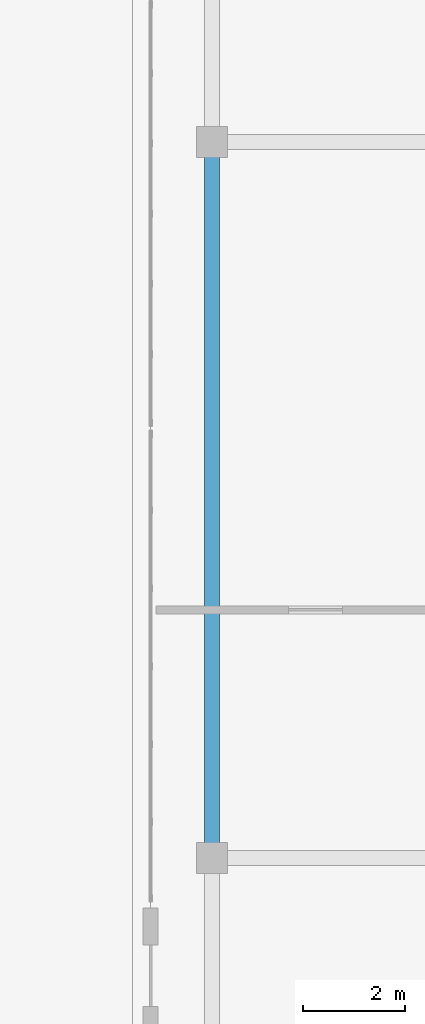
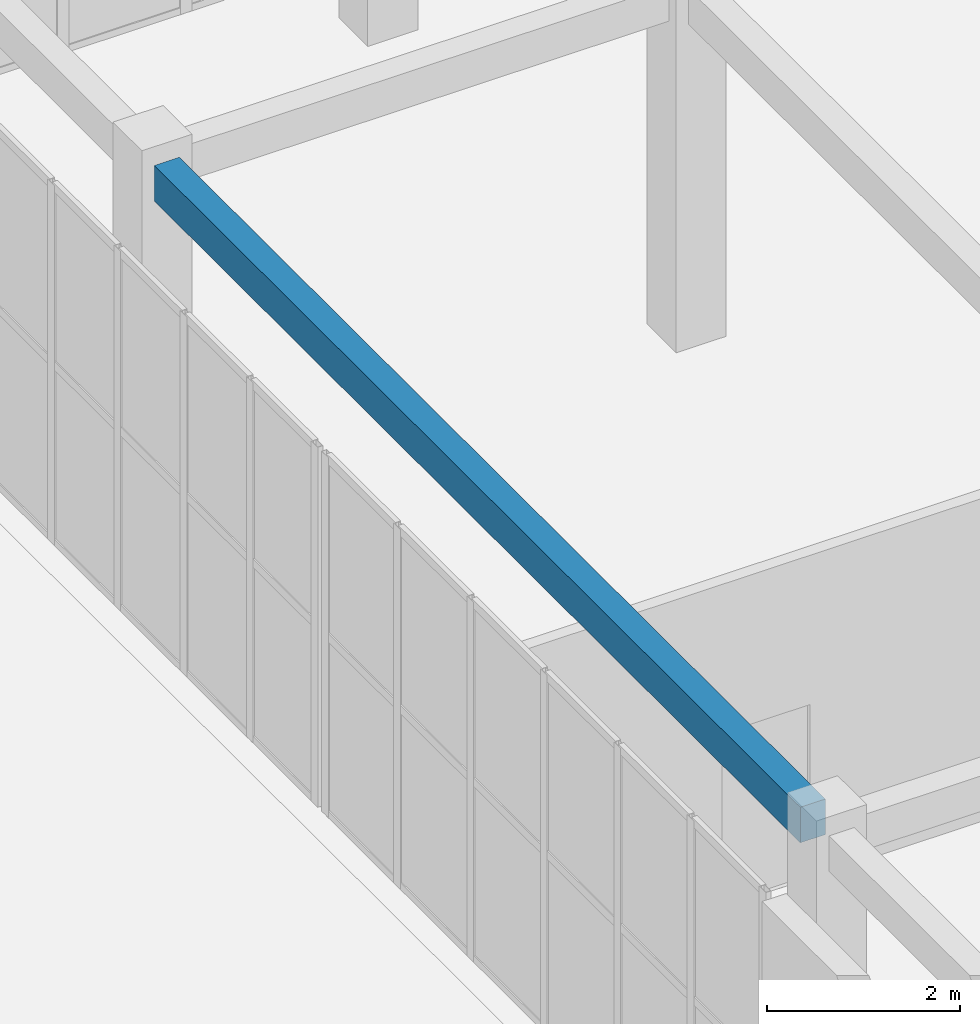
# One storey, part 55 of 158: 1 beam.
"""IFC4 building model written with IfcOpenShell, lengths in metres."""

from ifc_helpers import new_model, si_unit, direction, frame, origin, origin_2d, place, context, subcontext, project, spatial, rectangle, extrude, material, material_profile, profile_set, type_object, element, save


model = new_model("IFC4")

# Units and contexts
model_context = context("Model", 3, precision=1e-05, world=origin(), true_north=direction((0.0, 1.0)))
body_context = subcontext(model_context, "Body", "Model", "MODEL_VIEW")
ifc_project = project(units=[si_unit("LENGTHUNIT", "METRE"), si_unit("AREAUNIT", "SQUARE_METRE"), si_unit("VOLUMEUNIT", "CUBIC_METRE"), si_unit("PLANEANGLEUNIT", "RADIAN"), si_unit("MASSUNIT", "GRAM", prefix="KILO")], contexts=[model_context])

# Site, building, storey
site_placement = place(None, origin())
site = spatial("IfcSite", under=ifc_project, at=site_placement, CompositionType="ELEMENT")
building_placement = place(site_placement, origin())
building = spatial("IfcBuilding", under=site, at=building_placement, Name="Trelvath General Hospital", CompositionType="ELEMENT")
storey_placement = place(building_placement, frame((0.0, 0.0, 8.10009765625)))
storey = spatial("IfcBuildingStorey", under=building, at=storey_placement, Name="L02", CompositionType="ELEMENT", Elevation=8.10009765625)

# Beam
ifc_material = material(Name="Concrete C35/45", Category="concrete")
ifc_material_profile = material_profile(ifc_material, rectangle(XDim=0.300048828125, YDim=0.449951171875, at=origin_2d()), Name="RCB300x450")
ifc_profile_set = profile_set([ifc_material_profile], Name="Concrete C35/45")
beam_type = type_object("IfcBeamType", Name="Beam RC300x450", PredefinedType="BEAM", material=ifc_profile_set)
beam_placement = place(storey_placement, frame((54.39990234375, 59.095947265625, 4.3349609375), z_axis=(0.0, 1.0, 0.0), x_axis=(-1.0, 0.0, 0.0)))
element("IfcBeam", 1, at=beam_placement, inside=storey, type_object=beam_type, Name="Cube Interior Ring Beam CUBE-W-T1 L02", PredefinedType="BEAM", context=body_context, shape_type="SweptSolid", body=[
    extrude(rectangle(XDim=0.300048828125, YDim=0.449951171875, at=origin_2d()), origin(), (0.0, 0.0, 1.0), 13.407958984375),
])

save(model, "model.ifc")
